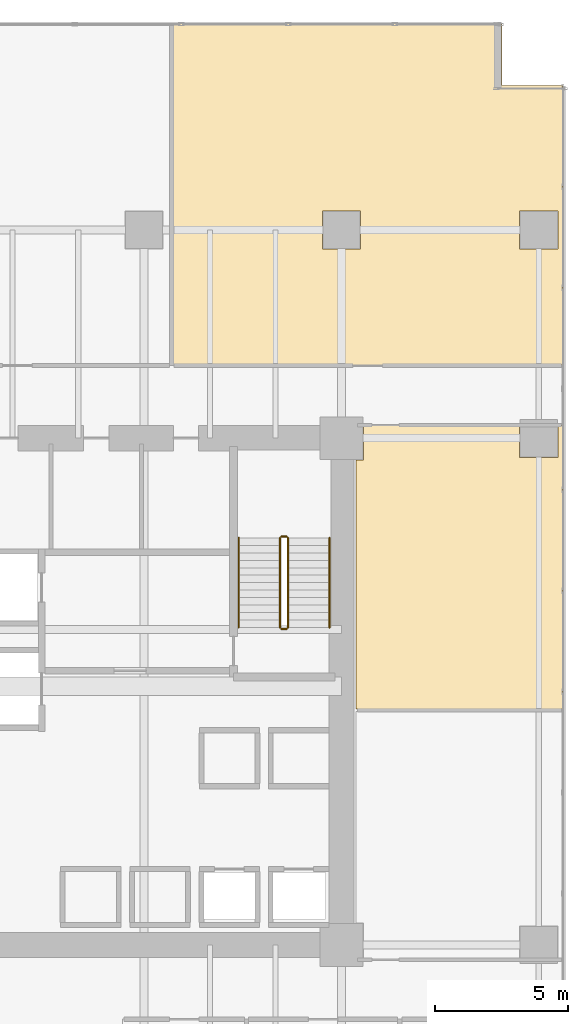
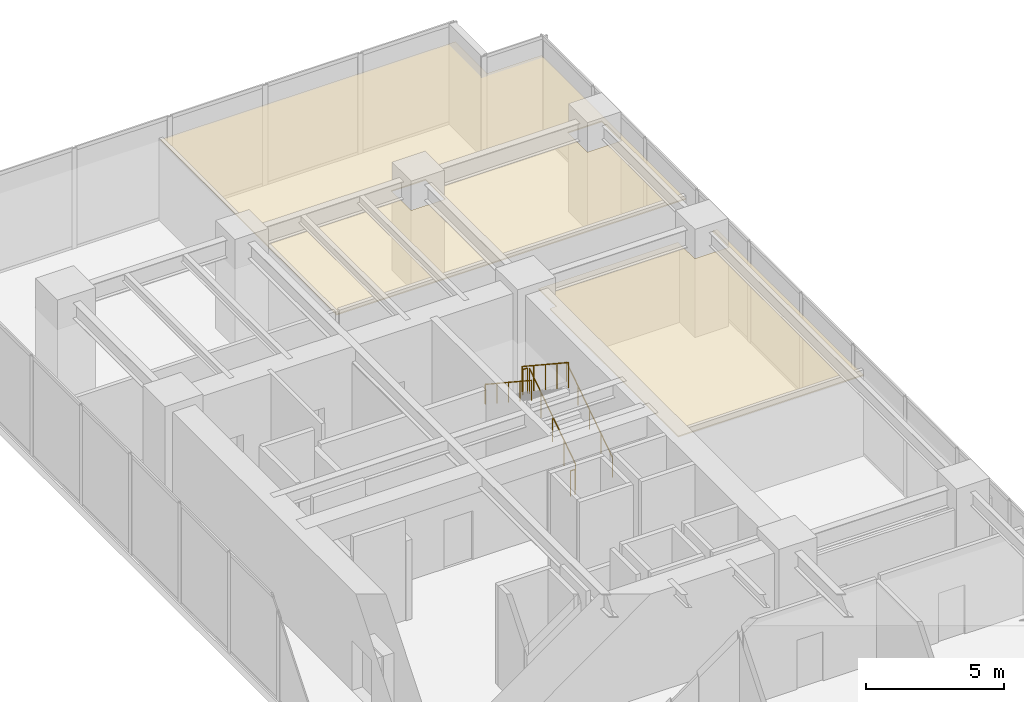
# One storey, part 33 of 33: 6 railings, 2 coverings.
"""IFC4 building model written with IfcOpenShell, lengths in metres."""

from ifc_helpers import new_model, si_unit, direction, frame, origin, origin_2d, place, context, subcontext, project, spatial, polyline, circle, outline, extrude, source, transform, mapped, material, layer, layer_set, type_object, type_shapes, element, save


model = new_model("IFC4")

# Units and contexts
model_context = context("Model", 3, precision=1e-05, world=origin(), true_north=direction((0.0, 1.0)))
body_context = subcontext(model_context, "Body", "Model", "MODEL_VIEW")
ifc_project = project(units=[si_unit("LENGTHUNIT", "METRE"), si_unit("AREAUNIT", "SQUARE_METRE"), si_unit("VOLUMEUNIT", "CUBIC_METRE"), si_unit("PLANEANGLEUNIT", "RADIAN"), si_unit("MASSUNIT", "GRAM", prefix="KILO")], contexts=[model_context])

# Site, building, storey
site_placement = place(None, origin())
site = spatial("IfcSite", under=ifc_project, at=site_placement, CompositionType="ELEMENT")
building_placement = place(site_placement, origin())
building = spatial("IfcBuilding", under=site, at=building_placement, Name="Haelvirn Gate Laboratories", CompositionType="ELEMENT")
storey_placement = place(building_placement, frame((0.0, 0.0, 10.199951171875)))
storey = spatial("IfcBuildingStorey", under=building, at=storey_placement, Name="L03", CompositionType="ELEMENT", Elevation=10.199951171875)

# Coverings
ifc_material_1 = material(Name="Washable cleanroom gasketed aluminium ceiling", Category="aluminium")
ifc_layer = layer(ifc_material_1, 0.050048828125, Name="COV-CEIL-CLN")
ifc_layer_set = layer_set([ifc_layer], Name="Washable cleanroom gasketed aluminium ceiling")
covering_type = type_object("IfcCoveringType", Name="COV-CEIL-CLN", PredefinedType="CEILING", material=ifc_layer_set)
covering_1_placement = place(storey_placement, frame((0.0, 0.0, 3.469970703125)))
element("IfcCovering", 1, at=covering_1_placement, inside=storey, type_object=covering_type, Name="L03 Laboratory Acoustic Ceiling CEIL-SP-L03-PODOUT-E-N", PredefinedType="CEILING", context=body_context, shape_type="SweptSolid", body=[
    extrude(outline(polyline([(75.7099609375, 34.280029296875), (75.7099609375, 23.639892578125), (67.93994140625, 23.639892578125), (67.93994140625, 32.97998046875), (68.219970703125, 32.97998046875), (68.219970703125, 34.280029296875), (74.080078125, 34.280029296875), (74.080078125, 33.080078125), (75.52001953125, 33.080078125), (75.52001953125, 34.280029296875), (75.7099609375, 34.280029296875)])), origin(), (0.0, 0.0, 1.0), 0.050048828125),
])
covering_2_placement = place(storey_placement, frame((0.0, 0.0, 3.469970703125)))
element("IfcCovering", 2, at=covering_2_placement, inside=storey, type_object=covering_type, Name="L03 Laboratory Acoustic Ceiling CEIL-SP-L03-PODN-E-2", PredefinedType="CEILING", context=body_context, shape_type="SweptSolid", body=[
    extrude(outline(polyline([(75.7099609375, 36.5400390625), (61.053955078125, 36.5400390625), (61.053955078125, 49.340087890625), (73.419921875, 49.340087890625), (73.419921875, 47.02001953125), (75.7099609375, 47.02001953125), (75.7099609375, 36.5400390625)]), holes=[polyline([(66.679931640625, 42.320068359375), (66.679931640625, 40.8798828125), (68.1201171875, 40.8798828125), (68.1201171875, 42.320068359375), (66.679931640625, 42.320068359375)]), polyline([(75.52001953125, 42.320068359375), (74.080078125, 42.320068359375), (74.080078125, 40.8798828125), (75.52001953125, 40.8798828125), (75.52001953125, 42.320068359375)])]), origin(), (0.0, 0.0, 1.0), 0.050048828125),
])

# Railings
ifc_material_2 = material(Name="Galvanised steel SM355 & stainless top rail", Category="steel")
railing_type_1 = type_object("IfcRailingType", Name="RL-GUARD-1150", PredefinedType="GUARDRAIL", material=ifc_material_2)
shared_shape_1 = source(origin(), body_context, "Body", "SweptSolid", [
    extrude(circle(Radius=0.02392578125, at=origin_2d()), frame((0.0, 0.0, 1.1259765625), z_axis=(0.0, -0.834876476806, 0.550437342915), x_axis=(1.0, 0.0, 0.0)), (0.0, 0.0, 1.0), 4.024658203125),
    extrude(circle(Radius=0.02099609375, at=origin_2d()), origin(), (0.0, 0.0, 1.0), 1.101806640625),
    extrude(circle(Radius=0.02099609375, at=origin_2d()), frame((0.0, -0.840087890625, 0.5537109375)), (0.0, 0.0, 1.0), 1.101806640625),
    extrude(circle(Radius=0.02099609375, at=origin_2d()), frame((0.0, -1.68017578125, 1.107666015625)), (0.0, 0.0, 1.0), 1.101806640625),
    extrude(circle(Radius=0.02099609375, at=origin_2d()), frame((0.0, -2.52001953125, 1.66162109375)), (0.0, 0.0, 1.0), 1.101806640625),
    extrude(circle(Radius=0.02099609375, at=origin_2d()), frame((0.0, -3.360107421875, 2.21533203125)), (0.0, 0.0, 1.0), 1.101806640625),
])
railing_1_placement = place(storey_placement, frame((65.10009765625, 30.06005859375, 2.584716796875)))
element("IfcRailing", 3, at=railing_1_placement, inside=storey, type_object=railing_type_1, Name="L03 ST2 stair guard 3", PredefinedType="GUARDRAIL", context=body_context, shape_type="MappedRepresentation", body=[
    mapped(shared_shape_1, transform((0.0, 0.0, 0.0), scale=1.0)),
])
ifc_material_3 = material(Name="Brushed stainless steel 316L", Category="steel")
railing_type_2 = type_object("IfcRailingType", Name="RL-HAND-920", PredefinedType="HANDRAIL", material=ifc_material_3)
shared_shape_2 = source(origin(), body_context, "Body", "SweptSolid", [
    extrude(circle(Radius=0.02392578125, at=origin_2d()), frame((0.0, 0.0, 0.8759765625), z_axis=(0.0, -0.834876476806, 0.550437342915), x_axis=(1.0, 0.0, 0.0)), (0.0, 0.0, 1.0), 4.024658203125),
    extrude(circle(Radius=0.02099609375, at=origin_2d()), origin(), (0.0, 0.0, 1.0), 0.851806640625),
    extrude(circle(Radius=0.02099609375, at=origin_2d()), frame((0.0, -0.840087890625, 0.5537109375)), (0.0, 0.0, 1.0), 0.851806640625),
    extrude(circle(Radius=0.02099609375, at=origin_2d()), frame((0.0, -1.68017578125, 1.107666015625)), (0.0, 0.0, 1.0), 0.851806640625),
    extrude(circle(Radius=0.02099609375, at=origin_2d()), frame((0.0, -2.52001953125, 1.66162109375)), (0.0, 0.0, 1.0), 0.851806640625),
    extrude(circle(Radius=0.02099609375, at=origin_2d()), frame((0.0, -3.360107421875, 2.21533203125)), (0.0, 0.0, 1.0), 0.851806640625),
])
railing_2_placement = place(storey_placement, frame((63.550048828125, 30.06005859375, 2.584716796875)))
element("IfcRailing", 4, at=railing_2_placement, inside=storey, type_object=railing_type_2, Name="L03 ST2 stair handrail 2", PredefinedType="HANDRAIL", context=body_context, shape_type="MappedRepresentation", body=[
    mapped(shared_shape_2, transform((0.0, 0.0, 0.0), scale=1.0)),
])
shared_shape_3 = source(origin(), body_context, "Body", "SweptSolid", [
    extrude(circle(Radius=0.02392578125, at=origin_2d()), frame((0.0, 0.0, 1.1259765625), z_axis=(0.0, 0.834848600103, 0.550479622607), x_axis=(-1.0, 0.0, 0.0)), (0.0, 0.0, 1.0), 4.02490234375),
    extrude(circle(Radius=0.02099609375, at=origin_2d()), origin(), (0.0, 0.0, 1.0), 1.101806640625),
    extrude(circle(Radius=0.02099609375, at=origin_2d()), frame((0.0, 0.840087890625, 0.553955078125)), (0.0, 0.0, 1.0), 1.101806640625),
    extrude(circle(Radius=0.02099609375, at=origin_2d()), frame((0.0, 1.68017578125, 1.10791015625)), (0.0, 0.0, 1.0), 1.101806640625),
    extrude(circle(Radius=0.02099609375, at=origin_2d()), frame((0.0, 2.52001953125, 1.66162109375)), (0.0, 0.0, 1.0), 1.101806640625),
    extrude(circle(Radius=0.02099609375, at=origin_2d()), frame((0.0, 3.360107421875, 2.215576171875)), (0.0, 0.0, 1.0), 1.101806640625),
])
railing_3_placement = place(storey_placement, frame((65.39990234375, 26.699951171875, 0.1845703125)))
element("IfcRailing", 5, at=railing_3_placement, inside=storey, type_object=railing_type_1, Name="L03 ST2 stair guard 1", PredefinedType="GUARDRAIL", context=body_context, shape_type="MappedRepresentation", body=[
    mapped(shared_shape_3, transform((0.0, 0.0, 0.0), scale=1.0)),
])
shared_shape_4 = source(origin(), body_context, "Body", "SweptSolid", [
    extrude(circle(Radius=0.02392578125, at=origin_2d()), frame((0.0, 0.0, 0.8759765625), z_axis=(0.0, 0.834848600103, 0.550479622607), x_axis=(-1.0, 0.0, 0.0)), (0.0, 0.0, 1.0), 4.02490234375),
    extrude(circle(Radius=0.02099609375, at=origin_2d()), origin(), (0.0, 0.0, 1.0), 0.851806640625),
    extrude(circle(Radius=0.02099609375, at=origin_2d()), frame((0.0, 0.840087890625, 0.553955078125)), (0.0, 0.0, 1.0), 0.851806640625),
    extrude(circle(Radius=0.02099609375, at=origin_2d()), frame((0.0, 1.68017578125, 1.10791015625)), (0.0, 0.0, 1.0), 0.851806640625),
    extrude(circle(Radius=0.02099609375, at=origin_2d()), frame((0.0, 2.52001953125, 1.66162109375)), (0.0, 0.0, 1.0), 0.851806640625),
    extrude(circle(Radius=0.02099609375, at=origin_2d()), frame((0.0, 3.360107421875, 2.215576171875)), (0.0, 0.0, 1.0), 0.851806640625),
])
type_shapes(railing_type_2, [shared_shape_2, shared_shape_4])
railing_4_placement = place(storey_placement, frame((66.949951171875, 26.699951171875, 0.1845703125)))
element("IfcRailing", 6, at=railing_4_placement, inside=storey, type_object=railing_type_2, Name="L03 ST2 stair handrail 1", PredefinedType="HANDRAIL", context=body_context, shape_type="MappedRepresentation", body=[
    mapped(shared_shape_4, transform((0.0, 0.0, 0.0), scale=1.0)),
])
shared_shape_5 = source(origin(), body_context, "Body", "SweptSolid", [
    extrude(circle(Radius=0.02392578125, at=origin_2d()), frame((0.0, 0.0, 1.1259765625), z_axis=(-1.0, 0.0, 0.0), x_axis=(0.0, -1.0, 0.0)), (0.0, 0.0, 1.0), 0.2001953125),
    extrude(circle(Radius=0.02099609375, at=origin_2d()), origin(), (0.0, 0.0, 1.0), 1.101806640625),
    extrude(circle(Radius=0.02099609375, at=origin_2d()), frame((-0.2001953125, 0.0, 0.0)), (0.0, 0.0, 1.0), 1.101806640625),
])
type_shapes(railing_type_1, [shared_shape_1, shared_shape_3, shared_shape_5])
for number, where, name in (
    (7, (65.35009765625, 30.110107421875, 2.400146484375), "L03 ST2 stair guard 2"),
    (8, (65.35009765625, 26.64990234375, 0.0), "L03 ST2 stair guard 4"),
):
    element("IfcRailing", number, at=place(storey_placement, frame(where)), inside=storey, type_object=railing_type_1, Name=name, PredefinedType="GUARDRAIL", context=body_context, shape_type="MappedRepresentation", body=[
        mapped(shared_shape_5, transform((0.0, 0.0, 0.0), scale=1.0)),
    ])

save(model, "model.ifc")
